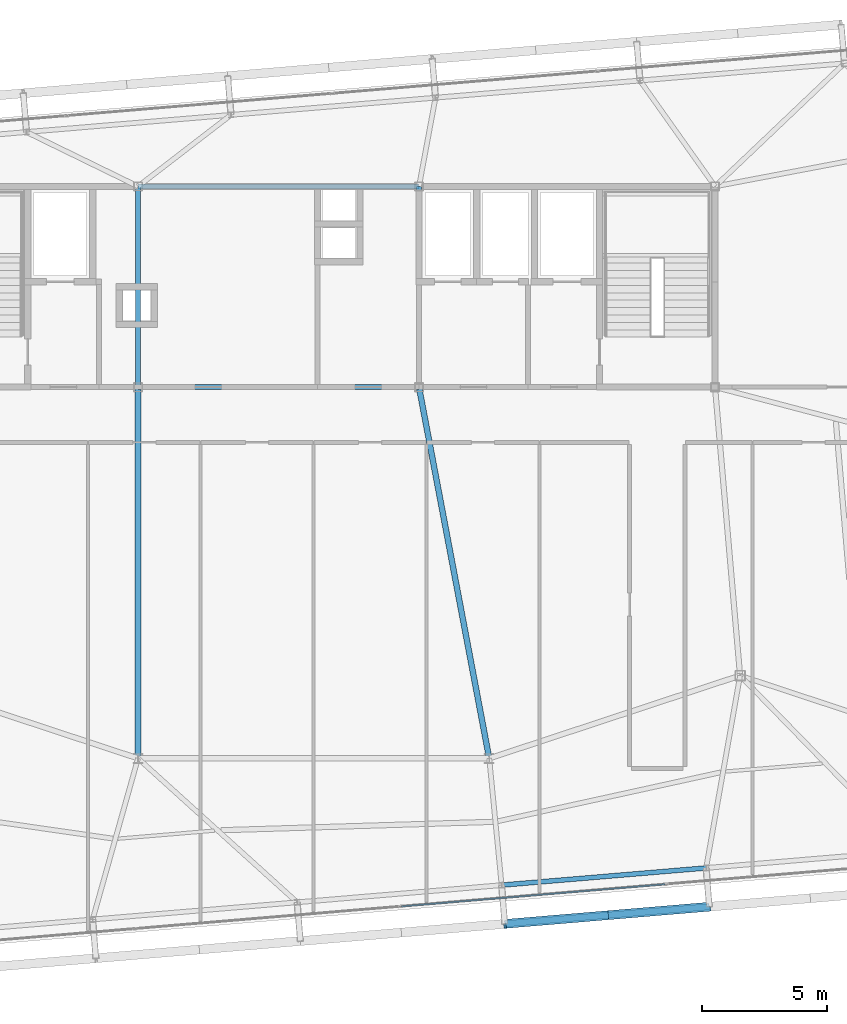
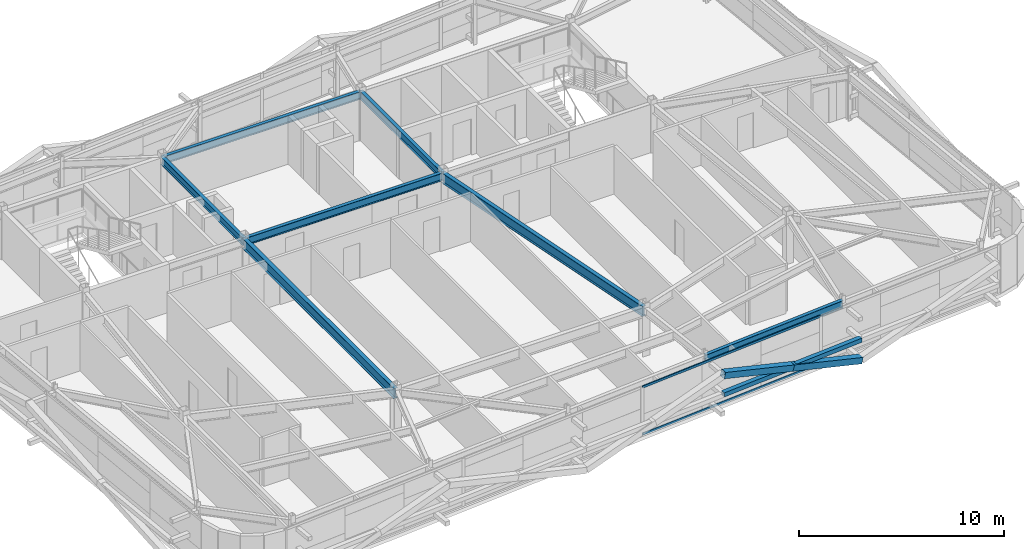
# One storey, part 15 of 39: 7 beams, 5 members, 1 element without a shape of its own.
"""IFC4 building model written with IfcOpenShell, lengths in metres."""

from ifc_helpers import new_model, si_unit, direction, frame, origin, origin_2d, place, context, subcontext, project, spatial, hollow_rectangle, i_section, extrude, source, transform, mapped, material, layer, layer_set, material_profile, profile_set, type_object, element, aggregate, save


model = new_model("IFC4")

# Units and contexts
model_context = context("Model", 3, precision=1e-05, world=origin(), true_north=direction((0.0, 1.0)))
body_context = subcontext(model_context, "Body", "Model", "MODEL_VIEW")
ifc_project = project(units=[si_unit("LENGTHUNIT", "METRE"), si_unit("AREAUNIT", "SQUARE_METRE"), si_unit("VOLUMEUNIT", "CUBIC_METRE"), si_unit("PLANEANGLEUNIT", "RADIAN"), si_unit("MASSUNIT", "GRAM", prefix="KILO")], contexts=[model_context])

# Site, building, storey
site_placement = place(None, origin())
site = spatial("IfcSite", under=ifc_project, at=site_placement, CompositionType="ELEMENT")
building_placement = place(site_placement, origin())
building = spatial("IfcBuilding", under=site, at=building_placement, Name="Taldren Reach Tower", CompositionType="ELEMENT")
storey_placement = place(building_placement, frame((0.0, 0.0, 204.050048828125)))
storey = spatial("IfcBuildingStorey", under=building, at=storey_placement, Name="L62", CompositionType="ELEMENT", Elevation=204.050048828125)

# Beams
ifc_material_1 = material(Name="Steel Gr 350 (350PLUS)", Category="steel")
ifc_material_profile_1 = material_profile(ifc_material_1, i_section(OverallWidth=0.19091796875, OverallDepth=0.4599609375, WebThickness=0.010009765625, FlangeThickness=0.01611328125, at=origin_2d()), Name="460UB82.1")
ifc_profile_set_1 = profile_set([ifc_material_profile_1], Name="Steel Gr 350 (350PLUS)")
beam_type_1 = type_object("IfcBeamType", Name="BM-UB460A", PredefinedType="BEAM", material=ifc_profile_set_1)
shared_shape_1 = source(origin(), body_context, "Body", "SweptSolid", [
    extrude(i_section(OverallWidth=0.19091796875, OverallDepth=0.4599609375, WebThickness=0.010009765625, FlangeThickness=0.01611328125, at=origin_2d()), origin(), (0.0, 0.0, 1.0), 11.199951171875),
])
for number, where, z_axis, x_axis, name in (
    (1, (28.0, 24.0, 2.639892578125), (1.0, 0.0, 0.0), (0.0, 1.0, 0.0), "Core-spine girder L62-SP02"),
    (2, (28.0, 32.0, 2.639892578125), (1.0, 0.0, 0.0), (0.0, 1.0, 0.0), "Core-spine girder L62-SP05"),
):
    element("IfcBeam", number, at=place(storey_placement, frame(where, z_axis=z_axis, x_axis=x_axis)), inside=storey, type_object=beam_type_1, Name=name, PredefinedType="BEAM", context=body_context, shape_type="MappedRepresentation", body=[
        mapped(shared_shape_1, transform((0.0, 0.0, 0.0), scale=1.0)),
    ])
shared_shape_2 = source(origin(), body_context, "Body", "SweptSolid", [
    extrude(i_section(OverallWidth=0.19091796875, OverallDepth=0.4599609375, WebThickness=0.010009765625, FlangeThickness=0.01611328125, at=origin_2d()), origin(), (0.0, 0.0, 1.0), 8.0),
])
for number, where, z_axis, x_axis, name in (
    (3, (28.0, 24.0, 2.639892578125), (0.0, 1.0, 0.0), (-1.0, 0.0, 0.0), "Core-spine girder L62-SP07"),
    (4, (39.199951171875, 24.0, 2.639892578125), (0.0, 1.0, 0.0), (-1.0, 0.0, 0.0), "Core-spine girder L62-SP08"),
):
    element("IfcBeam", number, at=place(storey_placement, frame(where, z_axis=z_axis, x_axis=x_axis)), inside=storey, type_object=beam_type_1, Name=name, PredefinedType="BEAM", context=body_context, shape_type="MappedRepresentation", body=[
        mapped(shared_shape_2, transform((0.0, 0.0, 0.0), scale=1.0)),
    ])
ifc_material_profile_2 = material_profile(ifc_material_1, i_section(OverallWidth=0.22802734375, OverallDepth=0.60205078125, WebThickness=0.010498046875, FlangeThickness=0.014892578125, at=origin_2d()), Name="610UB101")
ifc_profile_set_2 = profile_set([ifc_material_profile_2], Name="Steel Gr 350 (350PLUS)")
beam_type_2 = type_object("IfcBeamType", Name="BM-UB610B", PredefinedType="BEAM", material=ifc_profile_set_2)
shared_shape_3 = source(origin(), body_context, "Body", "SweptSolid", [
    extrude(i_section(OverallWidth=0.22802734375, OverallDepth=0.60205078125, WebThickness=0.010498046875, FlangeThickness=0.014892578125, at=origin_2d()), origin(), (0.0, 0.0, 1.0), 14.800048828125),
])
beam_1_placement = place(storey_placement, frame((28.0, 24.0, 2.56884765625), z_axis=(0.0, -1.0, 0.0), x_axis=(1.0, 0.0, 0.0)))
element("IfcBeam", 5, at=beam_1_placement, inside=storey, type_object=beam_type_2, Name="Core-spine girder L62-SP14", PredefinedType="BEAM", context=body_context, shape_type="MappedRepresentation", body=[
    mapped(shared_shape_3, transform((0.0, 0.0, 0.0), scale=1.0)),
])
shared_shape_4 = source(origin(), body_context, "Body", "SweptSolid", [
    extrude(i_section(OverallWidth=0.22802734375, OverallDepth=0.60205078125, WebThickness=0.010498046875, FlangeThickness=0.014892578125, at=origin_2d()), origin(), (0.0, 0.0, 1.0), 15.0625),
])
beam_2_placement = place(storey_placement, frame((39.199951171875, 24.0, 2.56884765625), z_axis=(0.185894205668, -0.982569765614, 0.0), x_axis=(0.982569765614, 0.185894205668, 0.0)))
element("IfcBeam", 6, at=beam_2_placement, inside=storey, type_object=beam_type_2, Name="Core-spine girder L62-SP15", PredefinedType="BEAM", context=body_context, shape_type="MappedRepresentation", body=[
    mapped(shared_shape_4, transform((0.0, 0.0, 0.0), scale=1.0)),
])
ifc_material_profile_3 = material_profile(ifc_material_1, i_section(OverallWidth=0.18994140625, OverallDepth=0.4541015625, WebThickness=0.008544921875, FlangeThickness=0.0126953125, at=origin_2d()), Name="460UB67.1")
ifc_profile_set_3 = profile_set([ifc_material_profile_3], Name="Steel Gr 350 (350PLUS)")
beam_type_3 = type_object("IfcBeamType", Name="SP-UB460B", PredefinedType="SPANDREL", material=ifc_profile_set_3)
shared_shape_5 = source(origin(), body_context, "Body", "SweptSolid", [
    extrude(i_section(OverallWidth=0.18994140625, OverallDepth=0.4541015625, WebThickness=0.008544921875, FlangeThickness=0.0126953125, at=origin_2d()), origin(), (0.0, 0.0, 1.0), 8.179931640625),
])
beam_3_placement = place(storey_placement, frame((42.49365234375, 4.1474609375, 2.64306640625), z_axis=(0.99649182565, 0.08369015123, 0.0), x_axis=(-0.08369015123, 0.99649182565, 0.0)))
element("IfcBeam", 7, at=beam_3_placement, inside=storey, type_object=beam_type_3, Name="Perimeter spandrel B4 S4-S5 L62", PredefinedType="SPANDREL", context=body_context, shape_type="MappedRepresentation", body=[
    mapped(shared_shape_5, transform((0.0, 0.0, 0.0), scale=1.0)),
])

# Members
ifc_material_2 = material(Name="Steel Gr 350 (C350L0)", Category="steel")
ifc_material_profile_4 = material_profile(ifc_material_2, hollow_rectangle(XDim=0.25, YDim=0.25, WallThickness=0.010009765625, at=origin_2d()), Name="250x250x10.0SHS")
ifc_profile_set_4 = profile_set([ifc_material_profile_4], Name="Steel Gr 350 (C350L0)")
member_type_1 = type_object("IfcMemberType", Name="MB-POST250", PredefinedType="POST", material=ifc_profile_set_4)
shared_shape_6 = source(origin(), body_context, "Body", "SweptSolid", [
    extrude(hollow_rectangle(XDim=0.25, YDim=0.25, WallThickness=0.010009765625, at=origin_2d()), origin(), (0.0, 0.0, 1.0), 8.179931640625),
])
member_1_placement = place(storey_placement, frame((42.623291015625, 2.60302734375, 1.405029296875), z_axis=(0.996494523218, 0.083658025296, 0.0), x_axis=(-0.083658025296, 0.996494523218, 0.0)))
element("IfcMember", 8, at=member_1_placement, inside=storey, type_object=member_type_1, Name="Exoskeleton mid-height ring chord B4-S4 L62", PredefinedType="POST", context=body_context, shape_type="MappedRepresentation", body=[
    mapped(shared_shape_6, transform((0.0, 0.0, 0.0), scale=1.0)),
])
ifc_material_3 = material(Name="Steel Gr 450 (C450L0)", Category="steel")
ifc_material_profile_5 = material_profile(ifc_material_3, hollow_rectangle(XDim=0.360107421875, YDim=0.360107421875, WallThickness=0.0126953125, at=origin_2d()), Name="360x360x12.7SHS")
ifc_profile_set_5 = profile_set([ifc_material_profile_5], Name="Steel Gr 450 (C450L0)")
member_type_2 = type_object("IfcMemberType", Name="MB-EXO356", PredefinedType="BRACE", material=ifc_profile_set_5)
shared_shape_7 = source(origin(), body_context, "Body", "SweptSolid", [
    extrude(hollow_rectangle(XDim=0.360107421875, YDim=0.360107421875, WallThickness=0.0126953125, at=origin_2d()), origin(), (0.0, 0.0, 1.0), 4.25830078125),
])
member_2_placement = place(storey_placement, frame((50.774658203125, 3.287353515625, 0.219970703125), z_axis=(-0.957125719227, -0.080381589694, 0.278296887572), x_axis=(0.083687662192, -0.996492034688, 0.0)))
element("IfcMember", 9, at=member_2_placement, inside=storey, type_object=member_type_2, Name="Exoskeleton Diagrid Brace B4-S4 L62", PredefinedType="BRACE", context=body_context, shape_type="MappedRepresentation", body=[
    mapped(shared_shape_7, transform((0.0, 0.0, 0.0), scale=1.0)),
])
shared_shape_8 = source(origin(), body_context, "Body", "SweptSolid", [
    extrude(hollow_rectangle(XDim=0.360107421875, YDim=0.360107421875, WallThickness=0.0126953125, at=origin_2d()), origin(), (0.0, 0.0, 1.0), 4.258056640625),
])
member_3_placement = place(storey_placement, frame((46.698974609375, 2.945068359375, 1.405029296875), z_axis=(-0.957145399307, -0.080325907777, 0.278245275119), x_axis=(0.083628388178, -0.996497010879, 0.0)))
element("IfcMember", 10, at=member_3_placement, inside=storey, type_object=member_type_2, Name="Exoskeleton Diagrid Brace B4-S4 L62", PredefinedType="BRACE", context=body_context, shape_type="MappedRepresentation", body=[
    mapped(shared_shape_8, transform((0.0, 0.0, 0.0), scale=1.0)),
])

# Curtain wall, members
ifc_material_4 = material(Name="Aluminium and Low-E Glass Unitised System", Category="aluminium")
ifc_layer = layer(ifc_material_4, 0.159912109375)
ifc_layer_set = layer_set([ifc_layer], Name="Aluminium and Low-E Glass Unitised System")
curtain_wall_type = type_object("IfcCurtainWallType", Name="CW-SYS-5", PredefinedType="NOTDEFINED", material=ifc_layer_set)
curtain_wall_placement = place(storey_placement, origin())
curtain_wall = element("IfcCurtainWall", 11, at=curtain_wall_placement, inside=storey, type_object=curtain_wall_type, Name="Unitised curtain wall CW-L62-S", PredefinedType="NOTDEFINED")
ifc_material_5 = material(Name="Anodised Aluminium 6063-T6", Category="aluminium")
ifc_material_profile_6 = material_profile(ifc_material_5, hollow_rectangle(XDim=0.06005859375, YDim=0.135009765625, WallThickness=0.00341796875, at=origin_2d()), Name="ALU-135x60x3.5RHS")
ifc_profile_set_6 = profile_set([ifc_material_profile_6], Name="Anodised Aluminium 6063-T6")
member_type_3 = type_object("IfcMemberType", Name="CW-TRN-150", PredefinedType="USERDEFINED", material=ifc_profile_set_6)
shared_shape_9 = source(origin(), body_context, "Body", "SweptSolid", [
    extrude(hollow_rectangle(XDim=0.06005859375, YDim=0.135009765625, WallThickness=0.00341796875, at=origin_2d()), origin(), (0.0, 0.0, 1.0), 10.55517578125),
])
member_4_placement = place(storey_placement, frame((38.495361328125, 3.300048828125, 0.030029296875), z_axis=(0.996494202684, 0.083661843255, 0.0), x_axis=(-0.083661843255, 0.996494202684, 0.0)))
member_4 = element("IfcMember", 12, at=member_4_placement, type_object=member_type_3, Name="CW-5 transom 3.1", ObjectType="TRANSOM", PredefinedType="USERDEFINED", context=body_context, shape_type="MappedRepresentation", body=[
    mapped(shared_shape_9, transform((0.0, 0.0, 0.0), scale=1.0)),
])
member_5_placement = place(storey_placement, frame((38.495361328125, 3.300048828125, 2.83984375), z_axis=(0.996494202684, 0.083661843255, 0.0), x_axis=(-0.083661843255, 0.996494202684, 0.0)))
member_5 = element("IfcMember", 13, at=member_5_placement, type_object=member_type_3, Name="CW-5 transom 3.2", ObjectType="TRANSOM", PredefinedType="USERDEFINED", context=body_context, shape_type="MappedRepresentation", body=[
    mapped(shared_shape_9, transform((0.0, 0.0, 0.0), scale=1.0)),
])
aggregate(curtain_wall, [member_4, member_5])

save(model, "model.ifc")
